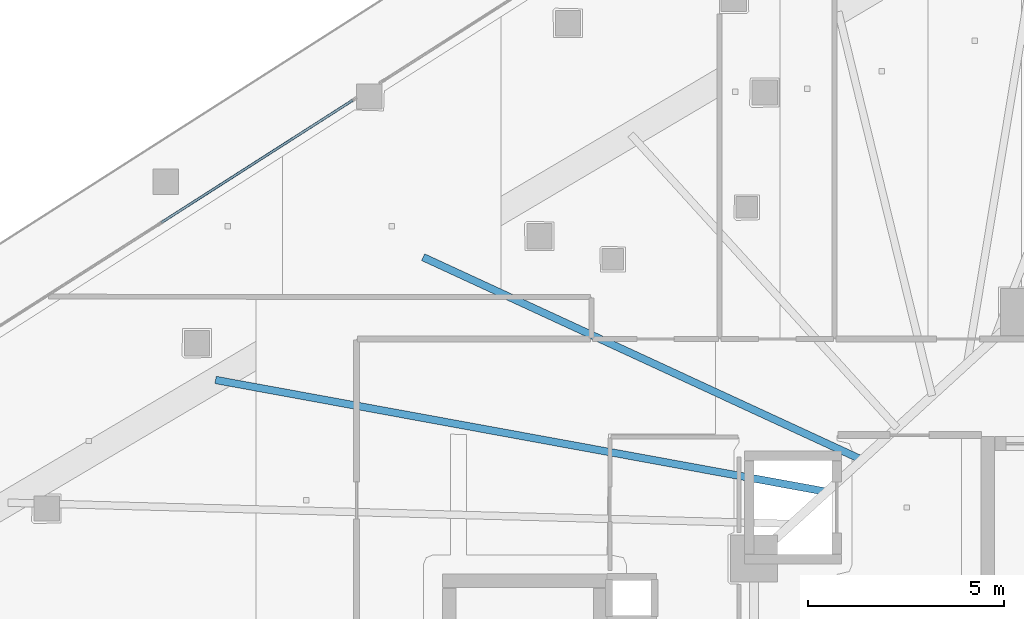
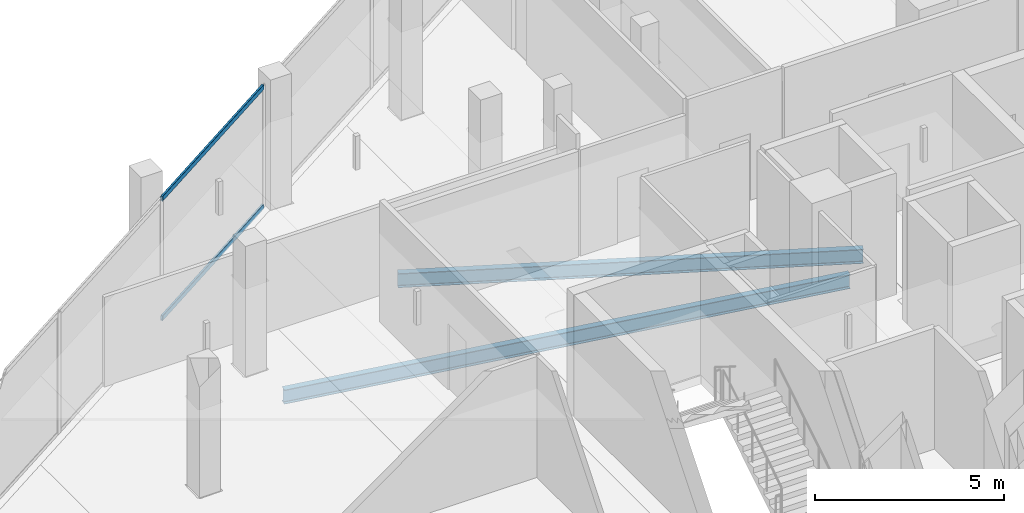
# One storey, part 15 of 44: 2 beams, 2 members, 1 element without a shape of its own.
"""IFC4 building model written with IfcOpenShell, lengths in metres."""

import ifcopenshell
import ifcopenshell.guid

model = None  # the IFC model being written
_history = None  # IfcOwnerHistory: only IFC2X3 demands one
_inside = {}  # id of a spatial element -> (the spatial element, [elements in it])
_under = {}  # id of a project, library or spatial element -> (it, [spatial elements below it])
_declared = {}  # id of a project -> (the project, [libraries it declares])
_typed = {}  # id of a type object -> (the type object, [elements of that type])
_made_of = {}  # id of a material, layer set ... -> (it, [elements and type objects made of it])


def new_model(schema):
    """Start an empty IFC model of exactly this schema.

    Asked for "IFC4X3", IfcOpenShell would pick the latest addendum, in which some entities
    have other attributes; the version numbers below select the first issue.
    IFC2X3 requires an IfcOwnerHistory on every rooted entity: one is made here for all.
    """
    global model, _history
    if schema == "IFC4X3":
        model = ifcopenshell.file(schema_version=(4, 3, 0, 0))
    else:
        model = ifcopenshell.file(schema=schema)
    _inside.clear()
    _under.clear()
    _declared.clear()
    _typed.clear()
    _made_of.clear()
    _history = None
    if model.schema == "IFC2X3":
        org = make("IfcOrganization", Name="unknown")
        user = make(
            "IfcPersonAndOrganization",
            ThePerson=make("IfcPerson", FamilyName="unknown"),
            TheOrganization=org,
        )
        app = make(
            "IfcApplication",
            ApplicationDeveloper=org,
            Version="unknown",
            ApplicationFullName="unknown",
            ApplicationIdentifier="unknown",
        )
        _history = make(
            "IfcOwnerHistory",
            OwningUser=user,
            OwningApplication=app,
            ChangeAction="ADDED",
            CreationDate=0,
        )
    return model


def make(cls, **values):
    """One entity of the class cls with the attributes given. An attribute that is None is left unset."""
    return model.create_entity(
        cls, **{name: value for name, value in values.items() if value is not None}
    )


def rooted(cls, **values):
    """An entity with a GlobalId (a new one), such as an element, a storey or a relation."""
    return make(cls, GlobalId=ifcopenshell.guid.new(), OwnerHistory=_history, **values)


def si_unit(unit_type, name, prefix=None):
    """IfcSIUnit, for example si_unit("LENGTHUNIT", "METRE", prefix="MILLI")."""
    return make("IfcSIUnit", UnitType=unit_type, Prefix=prefix, Name=name)


def assignment(units):
    """IfcUnitAssignment: the units of a project."""
    return None if units is None else make("IfcUnitAssignment", Units=units)


def point(xyz):
    """IfcCartesianPoint."""
    return None if xyz is None else make("IfcCartesianPoint", Coordinates=xyz)


def direction(xyz):
    """IfcDirection."""
    return None if xyz is None else make("IfcDirection", DirectionRatios=xyz)


def frame(location, z_axis=None, x_axis=None):
    """IfcAxis2Placement3D, a coordinate frame: its origin and axes. An axis left out is left unset."""
    return make(
        "IfcAxis2Placement3D",
        Location=point(location),
        Axis=direction(z_axis),
        RefDirection=direction(x_axis),
    )


def frame_2d(location, x_axis=None):
    """IfcAxis2Placement2D, a coordinate frame in the plane: its origin and x axis."""
    return make(
        "IfcAxis2Placement2D", Location=point(location), RefDirection=direction(x_axis)
    )


def origin():
    """The frame at (0, 0, 0) with its axes left unset."""
    return frame((0.0, 0.0, 0.0))


def origin_2d():
    """The frame at (0, 0) in the plane with its x axis left unset."""
    return frame_2d((0.0, 0.0))


def place(relative_to, where):
    """IfcLocalPlacement: puts the frame where relative to a parent placement (None: the world)."""
    return make(
        "IfcLocalPlacement", PlacementRelTo=relative_to, RelativePlacement=where
    )


def context(
    kind, dimensions, precision=None, world=None, true_north=None, identifier=None
):
    """IfcGeometricRepresentationContext, for example the 3D "Model" context."""
    return make(
        "IfcGeometricRepresentationContext",
        ContextIdentifier=identifier,
        ContextType=kind,
        CoordinateSpaceDimension=dimensions,
        Precision=precision,
        WorldCoordinateSystem=world,
        TrueNorth=true_north,
    )


def subcontext(parent, identifier, kind, view, scale=None):
    """IfcGeometricRepresentationSubContext, for example "Body" below "Model"."""
    return make(
        "IfcGeometricRepresentationSubContext",
        ContextIdentifier=identifier,
        ContextType=kind,
        ParentContext=parent,
        TargetScale=scale,
        TargetView=view,
    )


def project(units=None, contexts=None):
    """IfcProject with its units and contexts."""
    return rooted(
        "IfcProject",
        Name="project",
        RepresentationContexts=contexts,
        UnitsInContext=assignment(units),
    )


def spatial(cls, under=None, at=None, **own):
    """A site, building, storey or space (cls), placed at a placement, below another one or the project."""
    s = rooted(cls, ObjectPlacement=at, **own)
    if under is not None:
        _under.setdefault(under.id(), (under, []))[1].append(s)
    return s


def profile(cls, at=None, kind="AREA", **sizes):
    """A parametric profile (cls). Its sizes go by their IFC names, for example OverallWidth=200.0."""
    return make(cls, ProfileType=kind, Position=at, **sizes)


def hollow_rectangle(**sizes):
    """IfcRectangleHollowProfileDef."""
    return profile("IfcRectangleHollowProfileDef", **sizes)


def i_section(**sizes):
    """IfcIShapeProfileDef."""
    return profile("IfcIShapeProfileDef", **sizes)


def extrude(swept, where, along, depth):
    """IfcExtrudedAreaSolid: the profile swept, set in the frame where, extruded along a direction by depth."""
    return make(
        "IfcExtrudedAreaSolid",
        SweptArea=swept,
        Position=where,
        ExtrudedDirection=direction(along),
        Depth=depth,
    )


def shape(context_of_items, identifier, shape_type, items):
    """IfcShapeRepresentation: the items that make up one representation, for example the "Body"."""
    return make(
        "IfcShapeRepresentation",
        ContextOfItems=context_of_items,
        RepresentationIdentifier=identifier,
        RepresentationType=shape_type,
        Items=items,
    )


def material(Name=None, Category=None):
    """IfcMaterial."""
    return make("IfcMaterial", Name=Name, Category=Category)


def layer(
    of_material, thickness, ventilated=None, Name=None, Category=None, Priority=None
):
    """IfcMaterialLayer: one layer of a wall or slab, of a material (None: an air gap)."""
    return make(
        "IfcMaterialLayer",
        Material=of_material,
        LayerThickness=thickness,
        IsVentilated=ventilated,
        Name=Name,
        Category=Category,
        Priority=Priority,
    )


def layer_set(layers, Name=None):
    """IfcMaterialLayerSet."""
    return make("IfcMaterialLayerSet", MaterialLayers=layers, LayerSetName=Name)


def material_profile(
    of_material, cross_section, Name=None, Category=None, Priority=None
):
    """IfcMaterialProfile: a cross section and its material."""
    return make(
        "IfcMaterialProfile",
        Name=Name,
        Material=of_material,
        Profile=cross_section,
        Priority=Priority,
        Category=Category,
    )


def profile_set(profiles, Name=None, composite=None):
    """IfcMaterialProfileSet."""
    return make(
        "IfcMaterialProfileSet",
        Name=Name,
        MaterialProfiles=profiles,
        CompositeProfile=composite,
    )


def made_of(thing, what):
    """Note that an element or type object is made of a material, layer set ...; save() writes the relation."""
    if what is not None:
        _made_of.setdefault(what.id(), (what, []))[1].append(thing)
    return thing


def type_object(cls, material=None, **own):
    """A type object (cls), such as IfcWallType, which elements share."""
    return made_of(rooted(cls, **own), material)


def element(
    cls,
    number,
    at=None,
    inside=None,
    cuts=None,
    type_object=None,
    material=None,
    context=None,
    identifier="Body",
    shape_type=None,
    held_by="IfcProductDefinitionShape",
    body=None,
    shapes=None,
    **own,
):
    """One element of the class cls, such as IfcWall. Its Tag is "e" and its number.

    at: its placement. inside: the storey or other place that contains it. cuts: it is an
    opening in that element (IfcRelVoidsElement). A single representation is given by context,
    identifier, shape_type and body (its items); several are given by shapes. held_by: the class
    of the entity that holds the representations. save() writes the other relations.
    """
    e = rooted(cls, Tag="e%d" % number, ObjectPlacement=at, **own)
    if body is not None:
        shapes = [shape(context, identifier, shape_type, body)]
    if shapes is not None:
        e.Representation = make(held_by, Representations=shapes)
    if inside is not None:
        _inside.setdefault(inside.id(), (inside, []))[1].append(e)
    if cuts is not None:
        rooted(
            "IfcRelVoidsElement", RelatingBuildingElement=cuts, RelatedOpeningElement=e
        )
    if type_object is not None:
        _typed.setdefault(type_object.id(), (type_object, []))[1].append(e)
    return made_of(e, material)


def aggregate(whole, parts):
    """IfcRelAggregates: a whole, such as a stair, and the parts it consists of."""
    return rooted("IfcRelAggregates", RelatingObject=whole, RelatedObjects=parts)


def save(model, path):
    """Write the relations noted so far, then the file.

    IfcRelAggregates (storeys below a building ...), IfcRelContainedInSpatialStructure (elements
    in a storey), IfcRelDefinesByType, IfcRelAssociatesMaterial and IfcRelDeclares: one each for
    every whole, place, type object, material and project.
    """
    for whole, parts in _under.values():
        aggregate(whole, parts)
    for where, things in _inside.values():
        rooted(
            "IfcRelContainedInSpatialStructure",
            RelatedElements=things,
            RelatingStructure=where,
        )
    for kind, things in _typed.values():
        rooted("IfcRelDefinesByType", RelatedObjects=things, RelatingType=kind)
    for what, things in _made_of.values():
        rooted("IfcRelAssociatesMaterial", RelatedObjects=things, RelatingMaterial=what)
    for by, libraries in _declared.values():
        rooted("IfcRelDeclares", RelatingContext=by, RelatedDefinitions=libraries)
    model.write(path)


model = new_model("IFC4")

# Units and contexts
model_context = context("Model", 3, precision=1e-05, world=origin(), true_north=direction((0.0, 1.0)))
body_context = subcontext(model_context, "Body", "Model", "MODEL_VIEW")
ifc_project = project(units=[si_unit("LENGTHUNIT", "METRE"), si_unit("AREAUNIT", "SQUARE_METRE"), si_unit("VOLUMEUNIT", "CUBIC_METRE"), si_unit("PLANEANGLEUNIT", "RADIAN"), si_unit("MASSUNIT", "GRAM", prefix="KILO")], contexts=[model_context])

# Site, building, storey
site_placement = place(None, origin())
site = spatial("IfcSite", under=ifc_project, at=site_placement, CompositionType="ELEMENT")
building_placement = place(site_placement, origin())
building = spatial("IfcBuilding", under=site, at=building_placement, Name="Qorvath Tower", CompositionType="ELEMENT")
storey_placement = place(building_placement, frame((0.0, 0.0, 45.0)))
storey = spatial("IfcBuildingStorey", under=building, at=storey_placement, Name="L09", CompositionType="ELEMENT", Elevation=45.0)

# Beams
ifc_material_1 = material(Name="Steel ASTM A992 Grade 50", Category="steel")
ifc_material_profile_1 = material_profile(ifc_material_1, i_section(OverallWidth=0.18994140625, OverallDepth=0.45703125, WebThickness=0.009033203125, FlangeThickness=0.014404296875, FilletRadius=0.011962890625, at=origin_2d()), Name="W18x50")
ifc_profile_set_1 = profile_set([ifc_material_profile_1], Name="Steel ASTM A992 Grade 50")
beam_type = type_object("IfcBeamType", Name="BM-FJ2", PredefinedType="JOIST", material=ifc_profile_set_1)
beam_1_placement = place(storey_placement, frame((-28.636962890625, 6.85107421875, -0.508544921875), z_axis=(-0.983656498786, 0.180055248176, 0.0), x_axis=(-0.180055248176, -0.983656498786, 0.0)))
element("IfcBeam", 1, at=beam_1_placement, inside=storey, type_object=beam_type, Name="Composite Floor Joist NW2 L09", PredefinedType="JOIST", context=body_context, shape_type="SweptSolid", body=[
    extrude(i_section(OverallWidth=0.18994140625, OverallDepth=0.45703125, WebThickness=0.009033203125, FlangeThickness=0.014404296875, FilletRadius=0.011962890625, at=origin_2d()), origin(), (0.0, 0.0, 1.0), 15.884521484375),
])
beam_2_placement = place(storey_placement, frame((-27.739990234375, 7.669921875, -0.508544921875), z_axis=(-0.907881281747, 0.419227358665, 0.0), x_axis=(-0.419227358665, -0.907881281747, 0.0)))
element("IfcBeam", 2, at=beam_2_placement, inside=storey, type_object=beam_type, Name="Composite Floor Joist NW3 L09", PredefinedType="JOIST", context=body_context, shape_type="SweptSolid", body=[
    extrude(i_section(OverallWidth=0.18994140625, OverallDepth=0.45703125, WebThickness=0.009033203125, FlangeThickness=0.014404296875, FilletRadius=0.011962890625, at=origin_2d()), origin(), (0.0, 0.0, 1.0), 12.353515625),
])

# Curtain wall, members
ifc_material_2 = material(Name="Anodised aluminium and triple low-E glass", Category="aluminium")
ifc_layer = layer(ifc_material_2, 0.179931640625)
ifc_layer_set = layer_set([ifc_layer], Name="CW-SYS-2")
curtain_wall_type = type_object("IfcCurtainWallType", Name="CW-SYS-2", PredefinedType="NOTDEFINED", material=ifc_layer_set)
curtain_wall_placement = place(storey_placement, origin())
curtain_wall = element("IfcCurtainWall", 3, at=curtain_wall_placement, inside=storey, type_object=curtain_wall_type, Name="Curtain Wall CW-2 CW-T-L09-16.3", PredefinedType="NOTDEFINED")
ifc_material_3 = material(Name="Anodised aluminium 6063-T6", Category="aluminium")
ifc_material_profile_2 = material_profile(ifc_material_3, hollow_rectangle(XDim=0.06494140625, YDim=0.159912109375, WallThickness=0.00341796875, InnerFilletRadius=0.00341796875, OuterFilletRadius=0.007080078125, at=origin_2d()), Name="CWT 160x65")
ifc_profile_set_2 = profile_set([ifc_material_profile_2], Name="Anodised aluminium 6063-T6")
member_type = type_object("IfcMemberType", Name="CWT-160", PredefinedType="USERDEFINED", material=ifc_profile_set_2)
member_1_placement = place(storey_placement, frame((-40.757080078125, 16.85888671875, 0.032470703125), z_axis=(-0.842607225398, -0.538528609925, 0.0), x_axis=(0.538528609925, -0.842607225398, 0.0)))
member_1 = element("IfcMember", 4, at=member_1_placement, type_object=member_type, Name="CW-2 transom 1.1", ObjectType="TRANSOM", PredefinedType="USERDEFINED", context=body_context, shape_type="SweptSolid", body=[
    extrude(hollow_rectangle(XDim=0.06494140625, YDim=0.159912109375, WallThickness=0.00341796875, InnerFilletRadius=0.00341796875, OuterFilletRadius=0.007080078125, at=origin_2d()), origin(), (0.0, 0.0, 1.0), 5.806396484375),
])
member_2_placement = place(storey_placement, frame((-40.757080078125, 16.85888671875, 3.887451171875), z_axis=(-0.842607225398, -0.538528609925, 0.0), x_axis=(0.538528609925, -0.842607225398, 0.0)))
member_2 = element("IfcMember", 5, at=member_2_placement, type_object=member_type, Name="CW-2 transom 1.2", ObjectType="TRANSOM", PredefinedType="USERDEFINED", context=body_context, shape_type="SweptSolid", body=[
    extrude(hollow_rectangle(XDim=0.06494140625, YDim=0.159912109375, WallThickness=0.00341796875, InnerFilletRadius=0.00341796875, OuterFilletRadius=0.007080078125, at=origin_2d()), origin(), (0.0, 0.0, 1.0), 5.806396484375),
])
aggregate(curtain_wall, [member_1, member_2])

save(model, "model.ifc")
